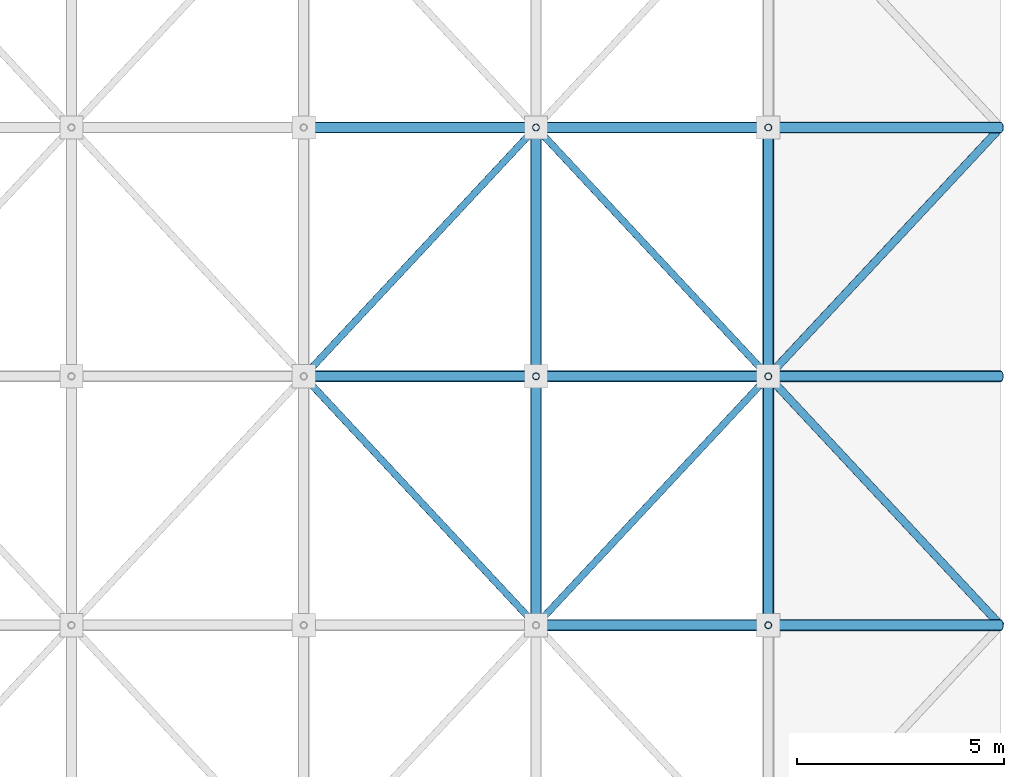
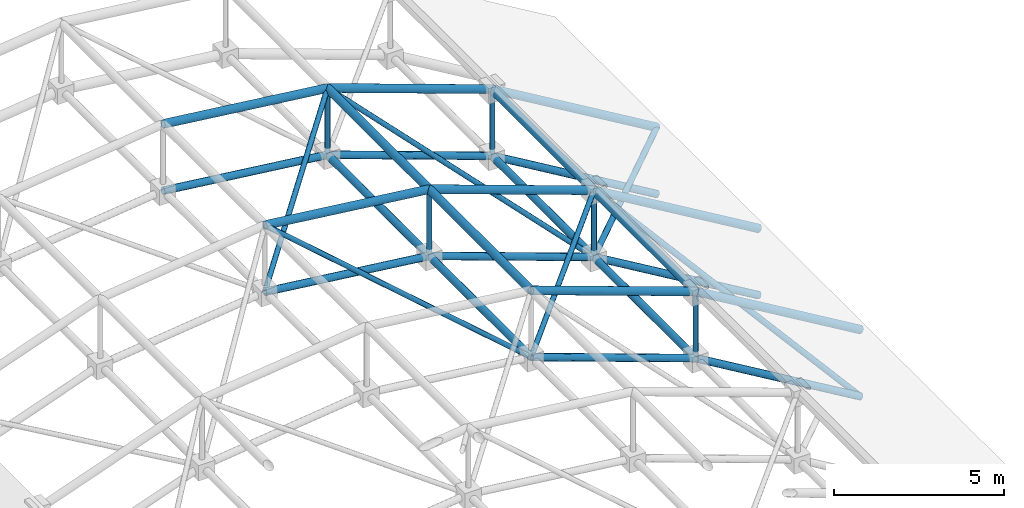
# One storey, part 91 of 140: 35 members.
"""IFC4 building model written with IfcOpenShell, lengths in metres."""

from ifc_helpers import new_model, si_unit, direction, frame, origin, origin_2d, place, context, subcontext, project, spatial, hollow_circle, extrude, material, material_profile, profile_set, type_object, element, save


model = new_model("IFC4")

# Units and contexts
model_context = context("Model", 3, precision=1e-05, world=origin(), true_north=direction((0.0, 1.0)))
body_context = subcontext(model_context, "Body", "Model", "MODEL_VIEW")
ifc_project = project(units=[si_unit("LENGTHUNIT", "METRE"), si_unit("AREAUNIT", "SQUARE_METRE"), si_unit("VOLUMEUNIT", "CUBIC_METRE"), si_unit("PLANEANGLEUNIT", "RADIAN"), si_unit("MASSUNIT", "GRAM", prefix="KILO")], contexts=[model_context])

# Site, building, storey
site_placement = place(None, origin())
site = spatial("IfcSite", under=ifc_project, at=site_placement, CompositionType="ELEMENT")
building_placement = place(site_placement, origin())
building = spatial("IfcBuilding", under=site, at=building_placement, Name="Trelvath General Hospital", CompositionType="ELEMENT")
storey_placement = place(building_placement, frame((0.0, 0.0, 16.199951171875)))
storey = spatial("IfcBuildingStorey", under=building, at=storey_placement, Name="L04", CompositionType="ELEMENT", Elevation=16.199951171875)

# Members
ifc_material_1 = material(Name="Steel S355", Category="steel")
ifc_material_profile_1 = material_profile(ifc_material_1, hollow_circle(Radius=0.122314453125, WallThickness=0.010009765625, at=origin_2d()), Name="CHS244.5x10.0")
ifc_profile_set_1 = profile_set([ifc_material_profile_1], Name="Steel S355")
member_type_1 = type_object("IfcMemberType", Name="SpaceFrameBottomChord CHS244", PredefinedType="CHORD", material=ifc_profile_set_1)
for number, where, z_axis, x_axis, name in (
    (1, (159.60009765625, 55.199951171875, 2.699951171875), (0.992991298752, 0.0, -0.118187480734), (0.0, 1.0, 0.0), "Space Frame Bottom Chord X 4-6"),
    (2, (159.60009765625, 61.199951171875, 2.699951171875), (0.992991298752, 0.0, -0.118187480734), (0.0, 1.0, 0.0), "Space Frame Bottom Chord X 4-7"),
):
    element("IfcMember", number, at=place(storey_placement, frame(where, z_axis=z_axis, x_axis=x_axis)), inside=storey, type_object=member_type_1, Name=name, PredefinedType="CHORD", context=body_context, shape_type="SweptSolid", body=[
        extrude(hollow_circle(Radius=0.122314453125, WallThickness=0.010009765625, at=origin_2d()), origin(), (0.0, 0.0, 1.0), 5.639404296875),
    ])
member_1_placement = place(storey_placement, frame((165.199951171875, 49.199951171875, 2.033447265625), z_axis=(0.94174376932, 0.0, -0.336331195321), x_axis=(0.0, 1.0, 0.0)))
element("IfcMember", 3, at=member_1_placement, inside=storey, type_object=member_type_1, Name="Space Frame Bottom Chord X 5-5", PredefinedType="CHORD", context=body_context, shape_type="SweptSolid", body=[
    extrude(hollow_circle(Radius=0.122314453125, WallThickness=0.010009765625, at=origin_2d()), origin(), (0.0, 0.0, 1.0), 5.946533203125),
])
member_2_placement = place(storey_placement, frame((165.199951171875, 49.199951171875, 2.033447265625), z_axis=(0.0, 1.0, 0.0), x_axis=(-1.0, 0.0, 0.0)))
element("IfcMember", 4, at=member_2_placement, inside=storey, type_object=member_type_1, Name="Space Frame Bottom Chord Y 5-5", PredefinedType="CHORD", context=body_context, shape_type="SweptSolid", body=[
    extrude(hollow_circle(Radius=0.122314453125, WallThickness=0.010009765625, at=origin_2d()), origin(), (0.0, 0.0, 1.0), 6.0),
])
member_3_placement = place(storey_placement, frame((165.199951171875, 55.199951171875, 2.033447265625), z_axis=(0.94174376932, 0.0, -0.336331195321), x_axis=(0.0, 1.0, 0.0)))
element("IfcMember", 5, at=member_3_placement, inside=storey, type_object=member_type_1, Name="Space Frame Bottom Chord X 5-6", PredefinedType="CHORD", context=body_context, shape_type="SweptSolid", body=[
    extrude(hollow_circle(Radius=0.122314453125, WallThickness=0.010009765625, at=origin_2d()), origin(), (0.0, 0.0, 1.0), 5.946533203125),
])
member_4_placement = place(storey_placement, frame((165.199951171875, 55.199951171875, 2.033447265625), z_axis=(0.0, 1.0, 0.0), x_axis=(-1.0, 0.0, 0.0)))
element("IfcMember", 6, at=member_4_placement, inside=storey, type_object=member_type_1, Name="Space Frame Bottom Chord Y 5-6", PredefinedType="CHORD", context=body_context, shape_type="SweptSolid", body=[
    extrude(hollow_circle(Radius=0.122314453125, WallThickness=0.010009765625, at=origin_2d()), origin(), (0.0, 0.0, 1.0), 6.0),
])
member_5_placement = place(storey_placement, frame((165.199951171875, 61.199951171875, 2.033447265625), z_axis=(0.94174376932, 0.0, -0.336331195321), x_axis=(0.0, 1.0, 0.0)))
element("IfcMember", 7, at=member_5_placement, inside=storey, type_object=member_type_1, Name="Space Frame Bottom Chord X 5-7", PredefinedType="CHORD", context=body_context, shape_type="SweptSolid", body=[
    extrude(hollow_circle(Radius=0.122314453125, WallThickness=0.010009765625, at=origin_2d()), origin(), (0.0, 0.0, 1.0), 5.946533203125),
])
member_6_placement = place(storey_placement, frame((170.800048828125, 49.199951171875, 0.033447265625), z_axis=(0.859276026628, 0.0, -0.511512179779), x_axis=(0.0, 1.0, 0.0)))
element("IfcMember", 8, at=member_6_placement, inside=storey, type_object=member_type_1, Name="Space Frame Bottom Chord X 6-5", PredefinedType="CHORD", context=body_context, shape_type="SweptSolid", body=[
    extrude(hollow_circle(Radius=0.122314453125, WallThickness=0.010009765625, at=origin_2d()), origin(), (0.0, 0.0, 1.0), 6.516845703125),
])
member_7_placement = place(storey_placement, frame((170.800048828125, 49.199951171875, 0.033447265625), z_axis=(0.0, 1.0, 0.0), x_axis=(-1.0, 0.0, 0.0)))
element("IfcMember", 9, at=member_7_placement, inside=storey, type_object=member_type_1, Name="Space Frame Bottom Chord Y 6-5", PredefinedType="CHORD", context=body_context, shape_type="SweptSolid", body=[
    extrude(hollow_circle(Radius=0.122314453125, WallThickness=0.010009765625, at=origin_2d()), origin(), (0.0, 0.0, 1.0), 6.0),
])
member_8_placement = place(storey_placement, frame((170.800048828125, 55.199951171875, 0.033447265625), z_axis=(0.859276026628, 0.0, -0.511512179779), x_axis=(0.0, 1.0, 0.0)))
element("IfcMember", 10, at=member_8_placement, inside=storey, type_object=member_type_1, Name="Space Frame Bottom Chord X 6-6", PredefinedType="CHORD", context=body_context, shape_type="SweptSolid", body=[
    extrude(hollow_circle(Radius=0.122314453125, WallThickness=0.010009765625, at=origin_2d()), origin(), (0.0, 0.0, 1.0), 6.516845703125),
])
member_9_placement = place(storey_placement, frame((170.800048828125, 55.199951171875, 0.033447265625), z_axis=(0.0, 1.0, 0.0), x_axis=(-1.0, 0.0, 0.0)))
element("IfcMember", 11, at=member_9_placement, inside=storey, type_object=member_type_1, Name="Space Frame Bottom Chord Y 6-6", PredefinedType="CHORD", context=body_context, shape_type="SweptSolid", body=[
    extrude(hollow_circle(Radius=0.122314453125, WallThickness=0.010009765625, at=origin_2d()), origin(), (0.0, 0.0, 1.0), 6.0),
])
member_10_placement = place(storey_placement, frame((170.800048828125, 61.199951171875, 0.033447265625), z_axis=(0.859276026628, 0.0, -0.511512179779), x_axis=(0.0, 1.0, 0.0)))
element("IfcMember", 12, at=member_10_placement, inside=storey, type_object=member_type_1, Name="Space Frame Bottom Chord X 6-7", PredefinedType="CHORD", context=body_context, shape_type="SweptSolid", body=[
    extrude(hollow_circle(Radius=0.122314453125, WallThickness=0.010009765625, at=origin_2d()), origin(), (0.0, 0.0, 1.0), 6.516845703125),
])
ifc_material_2 = material(Name="Steel S355", Category="steel")
ifc_material_profile_2 = material_profile(ifc_material_2, hollow_circle(Radius=0.096923828125, WallThickness=0.008056640625, at=origin_2d()), Name="CHS193.7x8.0")
ifc_profile_set_2 = profile_set([ifc_material_profile_2], Name="Steel S355")
member_type_2 = type_object("IfcMemberType", Name="SpaceFrameDiagHeavy CHS193", PredefinedType="BRACE", material=ifc_profile_set_2)
member_11_placement = place(storey_placement, frame((176.39990234375, 49.199951171875, -3.300048828125), z_axis=(-0.559341871551, 0.599310539095, 0.572681018071), x_axis=(-0.731064171106, -0.682308711453, 0.0)))
element("IfcMember", 13, at=member_11_placement, inside=storey, type_object=member_type_2, Name="Space Frame Web Diagonal B 6-5", PredefinedType="BRACE", context=body_context, shape_type="SweptSolid", body=[
    extrude(hollow_circle(Radius=0.096923828125, WallThickness=0.008056640625, at=origin_2d()), origin(), (0.0, 0.0, 1.0), 10.011474609375),
])
member_12_placement = place(storey_placement, frame((170.800048828125, 55.199951171875, 0.033447265625), z_axis=(0.677938923544, 0.726382133017, -0.112994746685), x_axis=(-0.731064171106, 0.682308711453, 0.0)))
element("IfcMember", 14, at=member_12_placement, inside=storey, type_object=member_type_2, Name="Space Frame Web Diagonal A 6-6", PredefinedType="BRACE", context=body_context, shape_type="SweptSolid", body=[
    extrude(hollow_circle(Radius=0.096923828125, WallThickness=0.008056640625, at=origin_2d()), origin(), (0.0, 0.0, 1.0), 8.260009765625),
])
ifc_material_3 = material(Name="Steel S355", Category="steel")
ifc_material_profile_3 = material_profile(ifc_material_3, hollow_circle(Radius=0.084228515625, WallThickness=0.008056640625, at=origin_2d()), Name="CHS168.3x8.0")
ifc_profile_set_3 = profile_set([ifc_material_profile_3], Name="Steel S355")
member_type_3 = type_object("IfcMemberType", Name="SpaceFrameDiagStd CHS168", PredefinedType="BRACE", material=ifc_profile_set_3)
member_13_placement = place(storey_placement, frame((165.199951171875, 49.199951171875, 2.033447265625), z_axis=(-0.639148147201, 0.684819499743, 0.350016997732), x_axis=(-0.731064171106, -0.682308711453, 0.0)))
element("IfcMember", 15, at=member_13_placement, inside=storey, type_object=member_type_3, Name="Space Frame Web Diagonal B 4-5", PredefinedType="BRACE", context=body_context, shape_type="SweptSolid", body=[
    extrude(hollow_circle(Radius=0.084228515625, WallThickness=0.008056640625, at=origin_2d()), origin(), (0.0, 0.0, 1.0), 8.761474609375),
])
member_14_placement = place(storey_placement, frame((159.60009765625, 55.199951171875, 2.699951171875), z_axis=(0.667581666854, 0.715284781994, 0.206645587246), x_axis=(-0.731064171106, 0.682308711453, 0.0)))
element("IfcMember", 16, at=member_14_placement, inside=storey, type_object=member_type_3, Name="Space Frame Web Diagonal A 4-6", PredefinedType="BRACE", context=body_context, shape_type="SweptSolid", body=[
    extrude(hollow_circle(Radius=0.084228515625, WallThickness=0.008056640625, at=origin_2d()), origin(), (0.0, 0.0, 1.0), 8.38818359375),
])
member_15_placement = place(storey_placement, frame((165.199951171875, 49.199951171875, 2.033447265625), z_axis=(0.681516095791, 0.730183083536, 0.048666987745), x_axis=(-0.731049333052, 0.682324609438, 0.0)))
element("IfcMember", 17, at=member_15_placement, inside=storey, type_object=member_type_3, Name="Space Frame Web Diagonal A 5-5", PredefinedType="BRACE", context=body_context, shape_type="SweptSolid", body=[
    extrude(hollow_circle(Radius=0.084228515625, WallThickness=0.008056640625, at=origin_2d()), origin(), (0.0, 0.0, 1.0), 8.217041015625),
])
member_16_placement = place(storey_placement, frame((165.199951171875, 55.199951171875, 2.033447265625), z_axis=(0.0, 0.0, 1.0), x_axis=(1.0, 0.0, 0.0)))
element("IfcMember", 18, at=member_16_placement, inside=storey, type_object=member_type_3, Name="Space Frame Web Post 5-6", PredefinedType="BRACE", context=body_context, shape_type="SweptSolid", body=[
    extrude(hollow_circle(Radius=0.084228515625, WallThickness=0.008056640625, at=origin_2d()), origin(), (0.0, 0.0, 1.0), 2.39990234375),
])
member_17_placement = place(storey_placement, frame((170.800048828125, 55.199951171875, 0.033447265625), z_axis=(-0.601361165456, 0.644304298642, 0.472479332281), x_axis=(-0.731049333052, -0.682324609438, 0.0)))
element("IfcMember", 19, at=member_17_placement, inside=storey, type_object=member_type_3, Name="Space Frame Web Diagonal B 5-6", PredefinedType="BRACE", context=body_context, shape_type="SweptSolid", body=[
    extrude(hollow_circle(Radius=0.084228515625, WallThickness=0.008056640625, at=origin_2d()), origin(), (0.0, 0.0, 1.0), 9.312255859375),
])
for number, where, z_axis, x_axis, name in (
    (20, (165.199951171875, 61.199951171875, 2.033447265625), (0.0, 0.0, 1.0), (1.0, 0.0, 0.0), "Space Frame Web Post 5-7"),
    (21, (170.800048828125, 49.199951171875, 0.033447265625), (0.0, 0.0, 1.0), (1.0, 0.0, 0.0), "Space Frame Web Post 6-5"),
    (22, (170.800048828125, 55.199951171875, 0.033447265625), (0.0, 0.0, 1.0), (1.0, 0.0, 0.0), "Space Frame Web Post 6-6"),
    (23, (170.800048828125, 61.199951171875, 0.033447265625), (0.0, 0.0, 1.0), (1.0, 0.0, 0.0), "Space Frame Web Post 6-7"),
):
    element("IfcMember", number, at=place(storey_placement, frame(where, z_axis=z_axis, x_axis=x_axis)), inside=storey, type_object=member_type_3, Name=name, PredefinedType="BRACE", context=body_context, shape_type="SweptSolid", body=[
        extrude(hollow_circle(Radius=0.084228515625, WallThickness=0.008056640625, at=origin_2d()), origin(), (0.0, 0.0, 1.0), 2.39990234375),
    ])
ifc_material_4 = material(Name="Steel S355", Category="steel")
ifc_material_profile_4 = material_profile(ifc_material_4, hollow_circle(Radius=0.136474609375, WallThickness=0.012451171875, at=origin_2d()), Name="CHS273.0x12.5")
ifc_profile_set_4 = profile_set([ifc_material_profile_4], Name="Steel S355")
member_type_4 = type_object("IfcMemberType", Name="SpaceFrameTopChord CHS273", PredefinedType="CHORD", material=ifc_profile_set_4)
for number, where, z_axis, x_axis, name in (
    (24, (159.60009765625, 55.199951171875, 5.10009765625), (0.992986217135, 0.0, -0.118230167807), (0.0, 1.0, 0.0), "Space Frame Top Chord X 4-6"),
    (25, (159.60009765625, 61.199951171875, 5.10009765625), (0.992986217135, 0.0, -0.118230167807), (0.0, 1.0, 0.0), "Space Frame Top Chord X 4-7"),
):
    element("IfcMember", number, at=place(storey_placement, frame(where, z_axis=z_axis, x_axis=x_axis)), inside=storey, type_object=member_type_4, Name=name, PredefinedType="CHORD", context=body_context, shape_type="SweptSolid", body=[
        extrude(hollow_circle(Radius=0.136474609375, WallThickness=0.012451171875, at=origin_2d()), origin(), (0.0, 0.0, 1.0), 5.639404296875),
    ])
member_18_placement = place(storey_placement, frame((165.199951171875, 49.199951171875, 4.433349609375), z_axis=(0.94174376932, 0.0, -0.336331195321), x_axis=(0.0, 1.0, 0.0)))
element("IfcMember", 26, at=member_18_placement, inside=storey, type_object=member_type_4, Name="Space Frame Top Chord X 5-5", PredefinedType="CHORD", context=body_context, shape_type="SweptSolid", body=[
    extrude(hollow_circle(Radius=0.136474609375, WallThickness=0.012451171875, at=origin_2d()), origin(), (0.0, 0.0, 1.0), 5.946533203125),
])
member_19_placement = place(storey_placement, frame((165.199951171875, 49.199951171875, 4.433349609375), z_axis=(0.0, 1.0, 0.0), x_axis=(-1.0, 0.0, 0.0)))
element("IfcMember", 27, at=member_19_placement, inside=storey, type_object=member_type_4, Name="Space Frame Top Chord Y 5-5", PredefinedType="CHORD", context=body_context, shape_type="SweptSolid", body=[
    extrude(hollow_circle(Radius=0.136474609375, WallThickness=0.012451171875, at=origin_2d()), origin(), (0.0, 0.0, 1.0), 6.0),
])
member_20_placement = place(storey_placement, frame((165.199951171875, 55.199951171875, 4.433349609375), z_axis=(0.94174376932, 0.0, -0.336331195321), x_axis=(0.0, 1.0, 0.0)))
element("IfcMember", 28, at=member_20_placement, inside=storey, type_object=member_type_4, Name="Space Frame Top Chord X 5-6", PredefinedType="CHORD", context=body_context, shape_type="SweptSolid", body=[
    extrude(hollow_circle(Radius=0.136474609375, WallThickness=0.012451171875, at=origin_2d()), origin(), (0.0, 0.0, 1.0), 5.946533203125),
])
member_21_placement = place(storey_placement, frame((165.199951171875, 55.199951171875, 4.433349609375), z_axis=(0.0, 1.0, 0.0), x_axis=(-1.0, 0.0, 0.0)))
element("IfcMember", 29, at=member_21_placement, inside=storey, type_object=member_type_4, Name="Space Frame Top Chord Y 5-6", PredefinedType="CHORD", context=body_context, shape_type="SweptSolid", body=[
    extrude(hollow_circle(Radius=0.136474609375, WallThickness=0.012451171875, at=origin_2d()), origin(), (0.0, 0.0, 1.0), 6.0),
])
member_22_placement = place(storey_placement, frame((165.199951171875, 61.199951171875, 4.433349609375), z_axis=(0.94174376932, 0.0, -0.336331195321), x_axis=(0.0, 1.0, 0.0)))
element("IfcMember", 30, at=member_22_placement, inside=storey, type_object=member_type_4, Name="Space Frame Top Chord X 5-7", PredefinedType="CHORD", context=body_context, shape_type="SweptSolid", body=[
    extrude(hollow_circle(Radius=0.136474609375, WallThickness=0.012451171875, at=origin_2d()), origin(), (0.0, 0.0, 1.0), 5.946533203125),
])
member_23_placement = place(storey_placement, frame((170.800048828125, 49.199951171875, 2.433349609375), z_axis=(0.859292492371, 0.0, -0.511484518392), x_axis=(0.0, 1.0, 0.0)))
element("IfcMember", 31, at=member_23_placement, inside=storey, type_object=member_type_4, Name="Space Frame Top Chord X 6-5", PredefinedType="CHORD", context=body_context, shape_type="SweptSolid", body=[
    extrude(hollow_circle(Radius=0.136474609375, WallThickness=0.012451171875, at=origin_2d()), origin(), (0.0, 0.0, 1.0), 6.516845703125),
])
member_24_placement = place(storey_placement, frame((170.800048828125, 49.199951171875, 2.433349609375), z_axis=(0.0, 1.0, 0.0), x_axis=(-1.0, 0.0, 0.0)))
element("IfcMember", 32, at=member_24_placement, inside=storey, type_object=member_type_4, Name="Space Frame Top Chord Y 6-5", PredefinedType="CHORD", context=body_context, shape_type="SweptSolid", body=[
    extrude(hollow_circle(Radius=0.136474609375, WallThickness=0.012451171875, at=origin_2d()), origin(), (0.0, 0.0, 1.0), 6.0),
])
member_25_placement = place(storey_placement, frame((170.800048828125, 55.199951171875, 2.433349609375), z_axis=(0.859292492371, 0.0, -0.511484518392), x_axis=(0.0, 1.0, 0.0)))
element("IfcMember", 33, at=member_25_placement, inside=storey, type_object=member_type_4, Name="Space Frame Top Chord X 6-6", PredefinedType="CHORD", context=body_context, shape_type="SweptSolid", body=[
    extrude(hollow_circle(Radius=0.136474609375, WallThickness=0.012451171875, at=origin_2d()), origin(), (0.0, 0.0, 1.0), 6.516845703125),
])
member_26_placement = place(storey_placement, frame((170.800048828125, 55.199951171875, 2.433349609375), z_axis=(0.0, 1.0, 0.0), x_axis=(-1.0, 0.0, 0.0)))
element("IfcMember", 34, at=member_26_placement, inside=storey, type_object=member_type_4, Name="Space Frame Top Chord Y 6-6", PredefinedType="CHORD", context=body_context, shape_type="SweptSolid", body=[
    extrude(hollow_circle(Radius=0.136474609375, WallThickness=0.012451171875, at=origin_2d()), origin(), (0.0, 0.0, 1.0), 6.0),
])
member_27_placement = place(storey_placement, frame((170.800048828125, 61.199951171875, 2.433349609375), z_axis=(0.859292492371, 0.0, -0.511484518392), x_axis=(0.0, 1.0, 0.0)))
element("IfcMember", 35, at=member_27_placement, inside=storey, type_object=member_type_4, Name="Space Frame Top Chord X 6-7", PredefinedType="CHORD", context=body_context, shape_type="SweptSolid", body=[
    extrude(hollow_circle(Radius=0.136474609375, WallThickness=0.012451171875, at=origin_2d()), origin(), (0.0, 0.0, 1.0), 6.516845703125),
])

save(model, "model.ifc")
